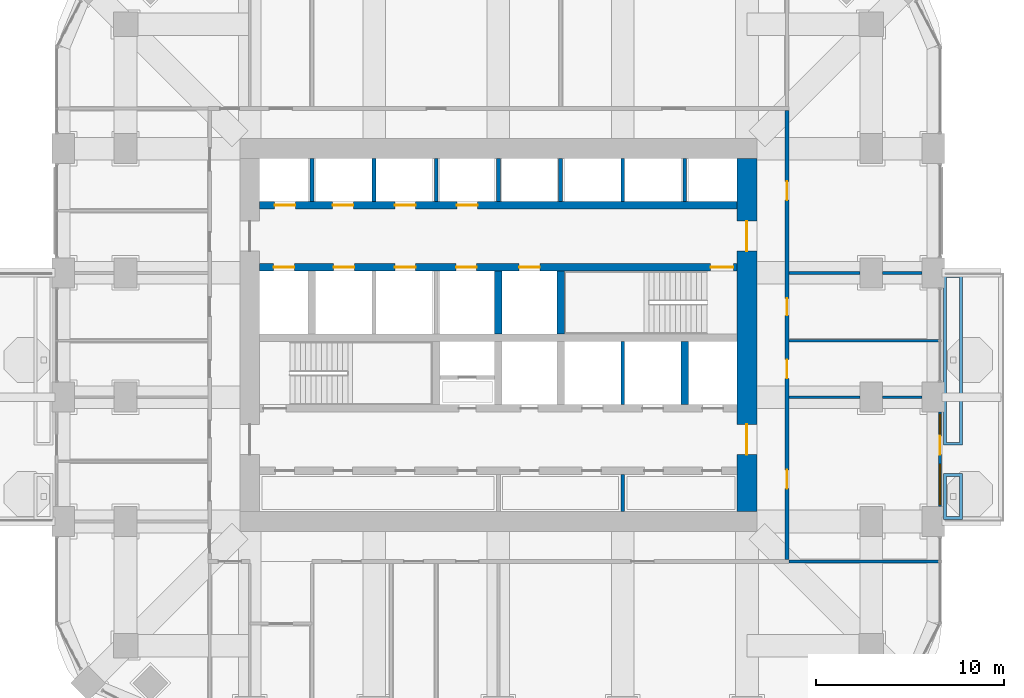
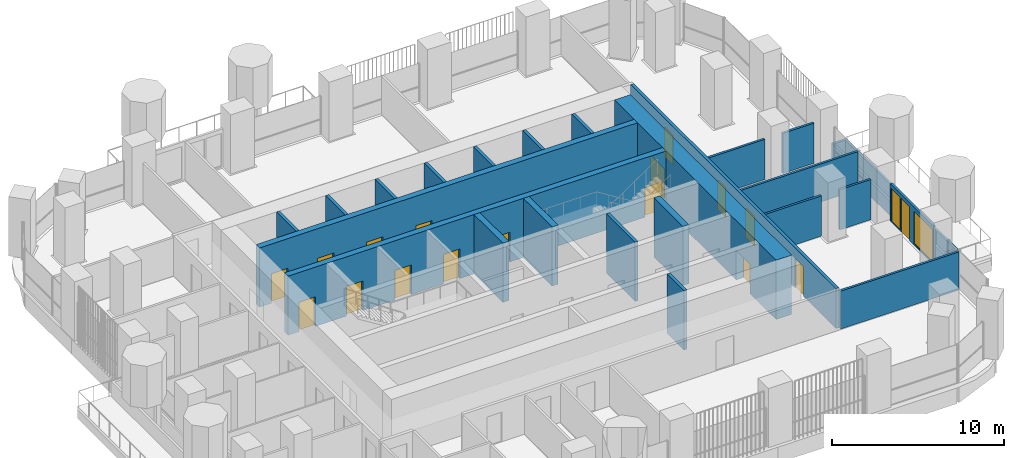
# One storey, part 13 of 19: 25 walls, 17 doors, 2 windows, 19 openings.
"""IFC4 building model written with IfcOpenShell, lengths in metres."""

import ifcopenshell
import ifcopenshell.guid

model = None  # the IFC model being written
_history = None  # IfcOwnerHistory: only IFC2X3 demands one
_inside = {}  # id of a spatial element -> (the spatial element, [elements in it])
_under = {}  # id of a project, library or spatial element -> (it, [spatial elements below it])
_declared = {}  # id of a project -> (the project, [libraries it declares])
_typed = {}  # id of a type object -> (the type object, [elements of that type])
_made_of = {}  # id of a material, layer set ... -> (it, [elements and type objects made of it])


def new_model(schema):
    """Start an empty IFC model of exactly this schema.

    Asked for "IFC4X3", IfcOpenShell would pick the latest addendum, in which some entities
    have other attributes; the version numbers below select the first issue.
    IFC2X3 requires an IfcOwnerHistory on every rooted entity: one is made here for all.
    """
    global model, _history
    if schema == "IFC4X3":
        model = ifcopenshell.file(schema_version=(4, 3, 0, 0))
    else:
        model = ifcopenshell.file(schema=schema)
    _inside.clear()
    _under.clear()
    _declared.clear()
    _typed.clear()
    _made_of.clear()
    _history = None
    if model.schema == "IFC2X3":
        org = make("IfcOrganization", Name="unknown")
        user = make(
            "IfcPersonAndOrganization",
            ThePerson=make("IfcPerson", FamilyName="unknown"),
            TheOrganization=org,
        )
        app = make(
            "IfcApplication",
            ApplicationDeveloper=org,
            Version="unknown",
            ApplicationFullName="unknown",
            ApplicationIdentifier="unknown",
        )
        _history = make(
            "IfcOwnerHistory",
            OwningUser=user,
            OwningApplication=app,
            ChangeAction="ADDED",
            CreationDate=0,
        )
    return model


def make(cls, **values):
    """One entity of the class cls with the attributes given. An attribute that is None is left unset."""
    return model.create_entity(
        cls, **{name: value for name, value in values.items() if value is not None}
    )


def rooted(cls, **values):
    """An entity with a GlobalId (a new one), such as an element, a storey or a relation."""
    return make(cls, GlobalId=ifcopenshell.guid.new(), OwnerHistory=_history, **values)


def si_unit(unit_type, name, prefix=None):
    """IfcSIUnit, for example si_unit("LENGTHUNIT", "METRE", prefix="MILLI")."""
    return make("IfcSIUnit", UnitType=unit_type, Prefix=prefix, Name=name)


def assignment(units):
    """IfcUnitAssignment: the units of a project."""
    return None if units is None else make("IfcUnitAssignment", Units=units)


def point(xyz):
    """IfcCartesianPoint."""
    return None if xyz is None else make("IfcCartesianPoint", Coordinates=xyz)


def direction(xyz):
    """IfcDirection."""
    return None if xyz is None else make("IfcDirection", DirectionRatios=xyz)


def frame(location, z_axis=None, x_axis=None):
    """IfcAxis2Placement3D, a coordinate frame: its origin and axes. An axis left out is left unset."""
    return make(
        "IfcAxis2Placement3D",
        Location=point(location),
        Axis=direction(z_axis),
        RefDirection=direction(x_axis),
    )


def frame_2d(location, x_axis=None):
    """IfcAxis2Placement2D, a coordinate frame in the plane: its origin and x axis."""
    return make(
        "IfcAxis2Placement2D", Location=point(location), RefDirection=direction(x_axis)
    )


def origin():
    """The frame at (0, 0, 0) with its axes left unset."""
    return frame((0.0, 0.0, 0.0))


def place(relative_to, where):
    """IfcLocalPlacement: puts the frame where relative to a parent placement (None: the world)."""
    return make(
        "IfcLocalPlacement", PlacementRelTo=relative_to, RelativePlacement=where
    )


def context(
    kind, dimensions, precision=None, world=None, true_north=None, identifier=None
):
    """IfcGeometricRepresentationContext, for example the 3D "Model" context."""
    return make(
        "IfcGeometricRepresentationContext",
        ContextIdentifier=identifier,
        ContextType=kind,
        CoordinateSpaceDimension=dimensions,
        Precision=precision,
        WorldCoordinateSystem=world,
        TrueNorth=true_north,
    )


def subcontext(parent, identifier, kind, view, scale=None):
    """IfcGeometricRepresentationSubContext, for example "Body" below "Model"."""
    return make(
        "IfcGeometricRepresentationSubContext",
        ContextIdentifier=identifier,
        ContextType=kind,
        ParentContext=parent,
        TargetScale=scale,
        TargetView=view,
    )


def project(units=None, contexts=None):
    """IfcProject with its units and contexts."""
    return rooted(
        "IfcProject",
        Name="project",
        RepresentationContexts=contexts,
        UnitsInContext=assignment(units),
    )


def spatial(cls, under=None, at=None, **own):
    """A site, building, storey or space (cls), placed at a placement, below another one or the project."""
    s = rooted(cls, ObjectPlacement=at, **own)
    if under is not None:
        _under.setdefault(under.id(), (under, []))[1].append(s)
    return s


def polyline(points):
    """IfcPolyline through the points."""
    return make("IfcPolyline", Points=[point(p) for p in points])


def profile(cls, at=None, kind="AREA", **sizes):
    """A parametric profile (cls). Its sizes go by their IFC names, for example OverallWidth=200.0."""
    return make(cls, ProfileType=kind, Position=at, **sizes)


def rectangle(**sizes):
    """IfcRectangleProfileDef."""
    return profile("IfcRectangleProfileDef", **sizes)


def outline(outer, holes=None, kind="AREA"):
    """IfcArbitraryClosedProfileDef: a profile drawn as a closed curve; with holes, ...WithVoids."""
    if holes is None:
        return make("IfcArbitraryClosedProfileDef", ProfileType=kind, OuterCurve=outer)
    return make(
        "IfcArbitraryProfileDefWithVoids",
        ProfileType=kind,
        OuterCurve=outer,
        InnerCurves=holes,
    )


def extrude(swept, where, along, depth):
    """IfcExtrudedAreaSolid: the profile swept, set in the frame where, extruded along a direction by depth."""
    return make(
        "IfcExtrudedAreaSolid",
        SweptArea=swept,
        Position=where,
        ExtrudedDirection=direction(along),
        Depth=depth,
    )


def shape(context_of_items, identifier, shape_type, items):
    """IfcShapeRepresentation: the items that make up one representation, for example the "Body"."""
    return make(
        "IfcShapeRepresentation",
        ContextOfItems=context_of_items,
        RepresentationIdentifier=identifier,
        RepresentationType=shape_type,
        Items=items,
    )


def material(Name=None, Category=None):
    """IfcMaterial."""
    return make("IfcMaterial", Name=Name, Category=Category)


def layer(
    of_material, thickness, ventilated=None, Name=None, Category=None, Priority=None
):
    """IfcMaterialLayer: one layer of a wall or slab, of a material (None: an air gap)."""
    return make(
        "IfcMaterialLayer",
        Material=of_material,
        LayerThickness=thickness,
        IsVentilated=ventilated,
        Name=Name,
        Category=Category,
        Priority=Priority,
    )


def layer_set(layers, Name=None):
    """IfcMaterialLayerSet."""
    return make("IfcMaterialLayerSet", MaterialLayers=layers, LayerSetName=Name)


def made_of(thing, what):
    """Note that an element or type object is made of a material, layer set ...; save() writes the relation."""
    if what is not None:
        _made_of.setdefault(what.id(), (what, []))[1].append(thing)
    return thing


def type_object(cls, material=None, **own):
    """A type object (cls), such as IfcWallType, which elements share."""
    return made_of(rooted(cls, **own), material)


def element(
    cls,
    number,
    at=None,
    inside=None,
    cuts=None,
    type_object=None,
    material=None,
    context=None,
    identifier="Body",
    shape_type=None,
    held_by="IfcProductDefinitionShape",
    body=None,
    shapes=None,
    **own,
):
    """One element of the class cls, such as IfcWall. Its Tag is "e" and its number.

    at: its placement. inside: the storey or other place that contains it. cuts: it is an
    opening in that element (IfcRelVoidsElement). A single representation is given by context,
    identifier, shape_type and body (its items); several are given by shapes. held_by: the class
    of the entity that holds the representations. save() writes the other relations.
    """
    e = rooted(cls, Tag="e%d" % number, ObjectPlacement=at, **own)
    if body is not None:
        shapes = [shape(context, identifier, shape_type, body)]
    if shapes is not None:
        e.Representation = make(held_by, Representations=shapes)
    if inside is not None:
        _inside.setdefault(inside.id(), (inside, []))[1].append(e)
    if cuts is not None:
        rooted(
            "IfcRelVoidsElement", RelatingBuildingElement=cuts, RelatedOpeningElement=e
        )
    if type_object is not None:
        _typed.setdefault(type_object.id(), (type_object, []))[1].append(e)
    return made_of(e, material)


def fill(opening, filler):
    """IfcRelFillsElement: the door or window that sits in an opening."""
    return rooted(
        "IfcRelFillsElement",
        RelatingOpeningElement=opening,
        RelatedBuildingElement=filler,
    )


def aggregate(whole, parts):
    """IfcRelAggregates: a whole, such as a stair, and the parts it consists of."""
    return rooted("IfcRelAggregates", RelatingObject=whole, RelatedObjects=parts)


def save(model, path):
    """Write the relations noted so far, then the file.

    IfcRelAggregates (storeys below a building ...), IfcRelContainedInSpatialStructure (elements
    in a storey), IfcRelDefinesByType, IfcRelAssociatesMaterial and IfcRelDeclares: one each for
    every whole, place, type object, material and project.
    """
    for whole, parts in _under.values():
        aggregate(whole, parts)
    for where, things in _inside.values():
        rooted(
            "IfcRelContainedInSpatialStructure",
            RelatedElements=things,
            RelatingStructure=where,
        )
    for kind, things in _typed.values():
        rooted("IfcRelDefinesByType", RelatedObjects=things, RelatingType=kind)
    for what, things in _made_of.values():
        rooted("IfcRelAssociatesMaterial", RelatedObjects=things, RelatingMaterial=what)
    for by, libraries in _declared.values():
        rooted("IfcRelDeclares", RelatingContext=by, RelatedDefinitions=libraries)
    model.write(path)


model = new_model("IFC4")

# Units and contexts
model_context = context("Model", 3, precision=1e-05, world=origin(), true_north=direction((0.0, 1.0)))
body_context = subcontext(model_context, "Body", "Model", "MODEL_VIEW")
ifc_project = project(units=[si_unit("LENGTHUNIT", "METRE"), si_unit("AREAUNIT", "SQUARE_METRE"), si_unit("VOLUMEUNIT", "CUBIC_METRE"), si_unit("PLANEANGLEUNIT", "RADIAN"), si_unit("MASSUNIT", "GRAM", prefix="KILO")], contexts=[model_context])

# Site, building, storey
site_placement = place(None, origin())
site = spatial("IfcSite", under=ifc_project, at=site_placement, CompositionType="ELEMENT")
building_placement = place(site_placement, origin())
building = spatial("IfcBuilding", under=site, at=building_placement, Name="Cobogo Forest Laboratory Tower", CompositionType="ELEMENT")
storey_placement = place(building_placement, frame((0.0, 0.0, 159.89990234375)))
storey = spatial("IfcBuildingStorey", under=building, at=storey_placement, Name="L36", CompositionType="ELEMENT", Elevation=159.89990234375)

# Wall, openings, doors
ifc_material_1 = material(Name="Concrete HA-50 (C50/60)", Category="concrete")
ifc_layer_1 = layer(ifc_material_1, 0.39990234375)
ifc_layer_set_1 = layer_set([ifc_layer_1], Name="CI400 core inner wall 400")
wall_type_1 = type_object("IfcWallType", Name="CI400 core inner wall 400", PredefinedType="SHEAR", material=ifc_layer_set_1)
wall_1_placement = place(storey_placement, frame((13.72509765625, 26.699951171875, 0.0), z_axis=(0.0, 0.0, 1.0), x_axis=(1.0, 0.0, 0.0)))
wall_1 = element("IfcWall", 1, at=wall_1_placement, inside=storey, type_object=wall_type_1, Name="Core wall CI-26.7 L36", PredefinedType="SHEAR", context=body_context, shape_type="SweptSolid", body=[
    extrude(rectangle(XDim=25.349853515625, YDim=0.39990234375, at=frame_2d((12.6748046875, 0.0))), origin(), (0.0, 0.0, 1.0), 4.2001953125),
])
opening_1_placement = place(wall_1_placement, frame((23.949951171875, 0.0, 0.0)))
opening_1 = element("IfcOpeningElement", 2, at=opening_1_placement, cuts=wall_1, Name="Opening L36-D32", PredefinedType="OPENING", context=body_context, shape_type="SweptSolid", body=[
    extrude(rectangle(XDim=1.199951171875, YDim=2.10009765625, at=frame_2d((0.60009765625, 1.050048828125))), frame((0.0, 0.2099609375, 0.0), z_axis=(0.0, -1.0, 0.0), x_axis=(1.0, 0.0, 0.0)), (0.0, 0.0, 1.0), 0.419921875),
])
opening_2_placement = place(wall_1_placement, frame((0.737548828125, 0.0, 0.0)))
opening_2 = element("IfcOpeningElement", 3, at=opening_2_placement, cuts=wall_1, Name="Opening L36-LD-FL1", PredefinedType="OPENING", context=body_context, shape_type="SweptSolid", body=[
    extrude(rectangle(XDim=1.10009765625, YDim=2.10009765625, at=frame_2d((0.550048828125, 1.050048828125))), frame((0.0, 0.2099609375, 0.0), z_axis=(0.0, -1.0, 0.0), x_axis=(1.0, 0.0, 0.0)), (0.0, 0.0, 1.0), 0.419921875),
])
opening_3_placement = place(wall_1_placement, frame((3.925048828125, 0.0, 0.0)))
opening_3 = element("IfcOpeningElement", 4, at=opening_3_placement, cuts=wall_1, Name="Opening L36-LD-LS3", PredefinedType="OPENING", context=body_context, shape_type="SweptSolid", body=[
    extrude(rectangle(XDim=1.10009765625, YDim=2.10009765625, at=frame_2d((0.550048828125, 1.050048828125))), frame((0.0, 0.2099609375, 0.0), z_axis=(0.0, -1.0, 0.0), x_axis=(1.0, 0.0, 0.0)), (0.0, 0.0, 1.0), 0.419921875),
])
opening_4_placement = place(wall_1_placement, frame((7.175048828125, 0.0, 0.0)))
opening_4 = element("IfcOpeningElement", 5, at=opening_4_placement, cuts=wall_1, Name="Opening L36-LD-LS4", PredefinedType="OPENING", context=body_context, shape_type="SweptSolid", body=[
    extrude(rectangle(XDim=1.10009765625, YDim=2.10009765625, at=frame_2d((0.550048828125, 1.050048828125))), frame((0.0, 0.2099609375, 0.0), z_axis=(0.0, -1.0, 0.0), x_axis=(1.0, 0.0, 0.0)), (0.0, 0.0, 1.0), 0.419921875),
])
opening_5_placement = place(wall_1_placement, frame((10.425048828125, 0.0, 0.0)))
opening_5 = element("IfcOpeningElement", 6, at=opening_5_placement, cuts=wall_1, Name="Opening L36-LD-LS5", PredefinedType="OPENING", context=body_context, shape_type="SweptSolid", body=[
    extrude(rectangle(XDim=1.10009765625, YDim=2.10009765625, at=frame_2d((0.550048828125, 1.050048828125))), frame((0.0, 0.2099609375, 0.0), z_axis=(0.0, -1.0, 0.0), x_axis=(1.0, 0.0, 0.0)), (0.0, 0.0, 1.0), 0.419921875),
])
opening_6_placement = place(wall_1_placement, frame((13.77490234375, 0.0, 0.0)))
opening_6 = element("IfcOpeningElement", 7, at=opening_6_placement, cuts=wall_1, Name="Opening L36-LD-LS6", PredefinedType="OPENING", context=body_context, shape_type="SweptSolid", body=[
    extrude(rectangle(XDim=1.10009765625, YDim=2.10009765625, at=frame_2d((0.550048828125, 1.050048828125))), frame((0.0, 0.2099609375, 0.0), z_axis=(0.0, -1.0, 0.0), x_axis=(1.0, 0.0, 0.0)), (0.0, 0.0, 1.0), 0.419921875),
])
ifc_material_2 = material(Name="Steel fire door", Category="steel")
door_type_1 = type_object("IfcDoorType", Name="DS1 protected stair door 1200 EI2 60", OperationType="SINGLE_SWING_LEFT", PredefinedType="DOOR", material=ifc_material_2)
door_1_placement = place(opening_1_placement, origin())
door_1 = element("IfcDoor", 8, at=door_1_placement, inside=storey, type_object=door_type_1, Name="Door L36-ST2", OperationType="SINGLE_SWING_RIGHT", OverallHeight=2.10009765625, OverallWidth=1.199951171875, PredefinedType="DOOR", context=body_context, shape_type="SweptSolid", body=[
    extrude(rectangle(XDim=1.199951171875, YDim=2.10009765625, at=frame_2d((0.60009765625, 1.050048828125))), frame((0.0, 0.02490234375, 0.0), z_axis=(0.0, -1.0, 0.0), x_axis=(1.0, 0.0, 0.0)), (0.0, 0.0, 1.0), 0.050048828125),
])
fill(opening_1, door_1)
ifc_material_3 = material(Name="Stainless steel lift door", Category="steel")
door_type_2 = type_object("IfcDoorType", Name="LD lift landing door 1100", OperationType="DOUBLE_DOOR_SLIDING", PredefinedType="DOOR", material=ifc_material_3)
door_2_placement = place(opening_2_placement, origin())
door_2 = element("IfcDoor", 9, at=door_2_placement, inside=storey, type_object=door_type_2, Name="Lift landing door FL1 L36", OperationType="DOUBLE_DOOR_SLIDING", OverallHeight=2.10009765625, OverallWidth=1.10009765625, PredefinedType="DOOR", context=body_context, shape_type="SweptSolid", body=[
    extrude(rectangle(XDim=1.10009765625, YDim=2.10009765625, at=frame_2d((0.550048828125, 1.050048828125))), frame((0.0, 0.02490234375, 0.0), z_axis=(0.0, -1.0, 0.0), x_axis=(1.0, 0.0, 0.0)), (0.0, 0.0, 1.0), 0.050048828125),
])
fill(opening_2, door_2)
door_3_placement = place(opening_3_placement, origin())
door_3 = element("IfcDoor", 10, at=door_3_placement, inside=storey, type_object=door_type_2, Name="Lift landing door LS3 L36", OperationType="DOUBLE_DOOR_SLIDING", OverallHeight=2.10009765625, OverallWidth=1.10009765625, PredefinedType="DOOR", context=body_context, shape_type="SweptSolid", body=[
    extrude(rectangle(XDim=1.10009765625, YDim=2.10009765625, at=frame_2d((0.550048828125, 1.050048828125))), frame((0.0, 0.02490234375, 0.0), z_axis=(0.0, -1.0, 0.0), x_axis=(1.0, 0.0, 0.0)), (0.0, 0.0, 1.0), 0.050048828125),
])
fill(opening_3, door_3)
door_4_placement = place(opening_4_placement, origin())
door_4 = element("IfcDoor", 11, at=door_4_placement, inside=storey, type_object=door_type_2, Name="Lift landing door LS4 L36", OperationType="DOUBLE_DOOR_SLIDING", OverallHeight=2.10009765625, OverallWidth=1.10009765625, PredefinedType="DOOR", context=body_context, shape_type="SweptSolid", body=[
    extrude(rectangle(XDim=1.10009765625, YDim=2.10009765625, at=frame_2d((0.550048828125, 1.050048828125))), frame((0.0, 0.02490234375, 0.0), z_axis=(0.0, -1.0, 0.0), x_axis=(1.0, 0.0, 0.0)), (0.0, 0.0, 1.0), 0.050048828125),
])
fill(opening_4, door_4)
door_5_placement = place(opening_5_placement, origin())
door_5 = element("IfcDoor", 12, at=door_5_placement, inside=storey, type_object=door_type_2, Name="Lift landing door LS5 L36", OperationType="DOUBLE_DOOR_SLIDING", OverallHeight=2.10009765625, OverallWidth=1.10009765625, PredefinedType="DOOR", context=body_context, shape_type="SweptSolid", body=[
    extrude(rectangle(XDim=1.10009765625, YDim=2.10009765625, at=frame_2d((0.550048828125, 1.050048828125))), frame((0.0, 0.02490234375, 0.0), z_axis=(0.0, -1.0, 0.0), x_axis=(1.0, 0.0, 0.0)), (0.0, 0.0, 1.0), 0.050048828125),
])
fill(opening_5, door_5)
door_6_placement = place(opening_6_placement, origin())
door_6 = element("IfcDoor", 13, at=door_6_placement, inside=storey, type_object=door_type_2, Name="Lift landing door LS6 L36", OperationType="DOUBLE_DOOR_SLIDING", OverallHeight=2.10009765625, OverallWidth=1.10009765625, PredefinedType="DOOR", context=body_context, shape_type="SweptSolid", body=[
    extrude(rectangle(XDim=1.10009765625, YDim=2.10009765625, at=frame_2d((0.550048828125, 1.050048828125))), frame((0.0, 0.02490234375, 0.0), z_axis=(0.0, -1.0, 0.0), x_axis=(1.0, 0.0, 0.0)), (0.0, 0.0, 1.0), 0.050048828125),
])
fill(opening_6, door_6)

wall_2_placement = place(storey_placement, frame((13.72509765625, 30.0, 0.0), z_axis=(0.0, 0.0, 1.0), x_axis=(1.0, 0.0, 0.0)))
wall_2 = element("IfcWall", 14, at=wall_2_placement, inside=storey, type_object=wall_type_1, Name="Core wall CI-30.0 L36", PredefinedType="SHEAR", context=body_context, shape_type="SweptSolid", body=[
    extrude(rectangle(XDim=25.349853515625, YDim=0.39990234375, at=frame_2d((12.6748046875, 0.0))), origin(), (0.0, 0.0, 1.0), 4.2001953125),
])
opening_7_placement = place(wall_2_placement, frame((0.78759765625, 0.0, 0.0)))
opening_7 = element("IfcOpeningElement", 15, at=opening_7_placement, cuts=wall_2, Name="Opening L36-LD-LC1", PredefinedType="OPENING", context=body_context, shape_type="SweptSolid", body=[
    extrude(rectangle(XDim=1.10009765625, YDim=2.10009765625, at=frame_2d((0.550048828125, 1.050048828125))), frame((0.0, 0.2099609375, 0.0), z_axis=(0.0, -1.0, 0.0), x_axis=(1.0, 0.0, 0.0)), (0.0, 0.0, 1.0), 0.419921875),
])
opening_8_placement = place(wall_2_placement, frame((3.875, 0.0, 0.0)))
opening_8 = element("IfcOpeningElement", 16, at=opening_8_placement, cuts=wall_2, Name="Opening L36-LD-LC2", PredefinedType="OPENING", context=body_context, shape_type="SweptSolid", body=[
    extrude(rectangle(XDim=1.10009765625, YDim=2.10009765625, at=frame_2d((0.550048828125, 1.050048828125))), frame((0.0, 0.2099609375, 0.0), z_axis=(0.0, -1.0, 0.0), x_axis=(1.0, 0.0, 0.0)), (0.0, 0.0, 1.0), 0.419921875),
])
opening_9_placement = place(wall_2_placement, frame((7.175048828125, 0.0, 0.0)))
opening_9 = element("IfcOpeningElement", 17, at=opening_9_placement, cuts=wall_2, Name="Opening L36-LD-LC3", PredefinedType="OPENING", context=body_context, shape_type="SweptSolid", body=[
    extrude(rectangle(XDim=1.10009765625, YDim=2.10009765625, at=frame_2d((0.550048828125, 1.050048828125))), frame((0.0, 0.2099609375, 0.0), z_axis=(0.0, -1.0, 0.0), x_axis=(1.0, 0.0, 0.0)), (0.0, 0.0, 1.0), 0.419921875),
])
opening_10_placement = place(wall_2_placement, frame((10.47509765625, 0.0, 0.0)))
opening_10 = element("IfcOpeningElement", 18, at=opening_10_placement, cuts=wall_2, Name="Opening L36-LD-LC4", PredefinedType="OPENING", context=body_context, shape_type="SweptSolid", body=[
    extrude(rectangle(XDim=1.10009765625, YDim=2.10009765625, at=frame_2d((0.550048828125, 1.050048828125))), frame((0.0, 0.2099609375, 0.0), z_axis=(0.0, -1.0, 0.0), x_axis=(1.0, 0.0, 0.0)), (0.0, 0.0, 1.0), 0.419921875),
])
door_7_placement = place(opening_7_placement, origin())
door_7 = element("IfcDoor", 19, at=door_7_placement, inside=storey, type_object=door_type_2, Name="Lift landing door LC1 L36", OperationType="DOUBLE_DOOR_SLIDING", OverallHeight=2.10009765625, OverallWidth=1.10009765625, PredefinedType="DOOR", context=body_context, shape_type="SweptSolid", body=[
    extrude(rectangle(XDim=1.10009765625, YDim=2.10009765625, at=frame_2d((0.550048828125, 1.050048828125))), frame((0.0, 0.02490234375, 0.0), z_axis=(0.0, -1.0, 0.0), x_axis=(1.0, 0.0, 0.0)), (0.0, 0.0, 1.0), 0.050048828125),
])
fill(opening_7, door_7)
door_8_placement = place(opening_8_placement, origin())
door_8 = element("IfcDoor", 20, at=door_8_placement, inside=storey, type_object=door_type_2, Name="Lift landing door LC2 L36", OperationType="DOUBLE_DOOR_SLIDING", OverallHeight=2.10009765625, OverallWidth=1.10009765625, PredefinedType="DOOR", context=body_context, shape_type="SweptSolid", body=[
    extrude(rectangle(XDim=1.10009765625, YDim=2.10009765625, at=frame_2d((0.550048828125, 1.050048828125))), frame((0.0, 0.02490234375, 0.0), z_axis=(0.0, -1.0, 0.0), x_axis=(1.0, 0.0, 0.0)), (0.0, 0.0, 1.0), 0.050048828125),
])
fill(opening_8, door_8)
door_9_placement = place(opening_9_placement, origin())
door_9 = element("IfcDoor", 21, at=door_9_placement, inside=storey, type_object=door_type_2, Name="Lift landing door LC3 L36", OperationType="DOUBLE_DOOR_SLIDING", OverallHeight=2.10009765625, OverallWidth=1.10009765625, PredefinedType="DOOR", context=body_context, shape_type="SweptSolid", body=[
    extrude(rectangle(XDim=1.10009765625, YDim=2.10009765625, at=frame_2d((0.550048828125, 1.050048828125))), frame((0.0, 0.02490234375, 0.0), z_axis=(0.0, -1.0, 0.0), x_axis=(1.0, 0.0, 0.0)), (0.0, 0.0, 1.0), 0.050048828125),
])
fill(opening_9, door_9)
door_10_placement = place(opening_10_placement, origin())
door_10 = element("IfcDoor", 22, at=door_10_placement, inside=storey, type_object=door_type_2, Name="Lift landing door LC4 L36", OperationType="DOUBLE_DOOR_SLIDING", OverallHeight=2.10009765625, OverallWidth=1.10009765625, PredefinedType="DOOR", context=body_context, shape_type="SweptSolid", body=[
    extrude(rectangle(XDim=1.10009765625, YDim=2.10009765625, at=frame_2d((0.550048828125, 1.050048828125))), frame((0.0, 0.02490234375, 0.0), z_axis=(0.0, -1.0, 0.0), x_axis=(1.0, 0.0, 0.0)), (0.0, 0.0, 1.0), 0.050048828125),
])
fill(opening_10, door_10)

# Walls
for number, where, z_axis, x_axis, name in (
    (23, (36.300048828125, 19.39990234375, 0.0), (0.0, 0.0, 1.0), (0.0, 1.0, 0.0), "Core wall CX-36.3 L36"),
    (24, (26.39990234375, 23.14990234375, 0.0), (0.0, 0.0, 1.0), (0.0, 1.0, 0.0), "Core wall CX-26.4N L36"),
    (25, (29.699951171875, 23.14990234375, 0.0), (0.0, 0.0, 1.0), (0.0, 1.0, 0.0), "Core wall CX-29.7N L36"),
):
    element("IfcWall", number, at=place(storey_placement, frame(where, z_axis=z_axis, x_axis=x_axis)), inside=storey, type_object=wall_type_1, Name=name, PredefinedType="SHEAR", context=body_context, shape_type="SweptSolid", body=[
        extrude(rectangle(XDim=3.35009765625, YDim=0.39990234375, at=frame_2d((1.675048828125, 0.0))), origin(), (0.0, 0.0, 1.0), 4.2001953125),
    ])

# Wall, openings, doors
ifc_layer_2 = layer(ifc_material_1, 1.050048828125)
ifc_layer_set_2 = layer_set([ifc_layer_2], Name="CW1050 core outer wall 1050")
wall_type_2 = type_object("IfcWallType", Name="CW1050 core outer wall 1050", PredefinedType="SHEAR", material=ifc_layer_set_2)
wall_3_placement = place(storey_placement, frame((39.60009765625, 13.72509765625, 0.0), z_axis=(0.0, 0.0, 1.0), x_axis=(0.0, 1.0, 0.0)))
wall_3 = element("IfcWall", 26, at=wall_3_placement, inside=storey, type_object=wall_type_2, Name="Core wall CO-E L36", PredefinedType="SHEAR", context=body_context, shape_type="SweptSolid", body=[
    extrude(rectangle(XDim=18.75, YDim=1.050048828125, at=frame_2d((9.375, 0.0))), origin(), (0.0, 0.0, 1.0), 4.2001953125),
])
opening_11_placement = place(wall_3_placement, frame((3.02490234375, 0.0, 0.0)))
opening_11 = element("IfcOpeningElement", 27, at=opening_11_placement, cuts=wall_3, Name="Opening L36-D22", PredefinedType="OPENING", context=body_context, shape_type="SweptSolid", body=[
    extrude(rectangle(XDim=1.60009765625, YDim=2.10009765625, at=frame_2d((0.800048828125, 1.050048828125))), frame((0.0, 0.534912109375, 0.0), z_axis=(0.0, -1.0, 0.0), x_axis=(1.0, 0.0, 0.0)), (0.0, 0.0, 1.0), 1.070068359375),
])
opening_12_placement = place(wall_3_placement, frame((13.824951171875, 0.0, 0.0)))
opening_12 = element("IfcOpeningElement", 28, at=opening_12_placement, cuts=wall_3, Name="Opening L36-D35", PredefinedType="OPENING", context=body_context, shape_type="SweptSolid", body=[
    extrude(rectangle(XDim=1.60009765625, YDim=2.10009765625, at=frame_2d((0.800048828125, 1.050048828125))), frame((0.0, 0.534912109375, 0.0), z_axis=(0.0, -1.0, 0.0), x_axis=(1.0, 0.0, 0.0)), (0.0, 0.0, 1.0), 1.070068359375),
])
door_type_3 = type_object("IfcDoorType", Name="DS2 protected lobby door pair 1600 EI2 60", OperationType="DOUBLE_DOOR_DOUBLE_SWING", PredefinedType="DOOR", material=ifc_material_2)
door_11_placement = place(opening_11_placement, origin())
door_11 = element("IfcDoor", 29, at=door_11_placement, inside=storey, type_object=door_type_3, Name="Door L36-CO-E-S", OperationType="DOUBLE_DOOR_DOUBLE_SWING", OverallHeight=2.10009765625, OverallWidth=1.60009765625, PredefinedType="DOOR", context=body_context, shape_type="SweptSolid", body=[
    extrude(rectangle(XDim=1.60009765625, YDim=2.10009765625, at=frame_2d((0.800048828125, 1.050048828125))), frame((0.0, 0.02490234375, 0.0), z_axis=(0.0, -1.0, 0.0), x_axis=(1.0, 0.0, 0.0)), (0.0, 0.0, 1.0), 0.050048828125),
])
fill(opening_11, door_11)
door_12_placement = place(opening_12_placement, origin())
door_12 = element("IfcDoor", 30, at=door_12_placement, inside=storey, type_object=door_type_3, Name="Door L36-CO-E-N", OperationType="DOUBLE_DOOR_DOUBLE_SWING", OverallHeight=2.10009765625, OverallWidth=1.60009765625, PredefinedType="DOOR", context=body_context, shape_type="SweptSolid", body=[
    extrude(rectangle(XDim=1.60009765625, YDim=2.10009765625, at=frame_2d((0.800048828125, 1.050048828125))), frame((0.0, 0.02490234375, 0.0), z_axis=(0.0, -1.0, 0.0), x_axis=(1.0, 0.0, 0.0)), (0.0, 0.0, 1.0), 0.050048828125),
])
fill(opening_12, door_12)

# Wall, openings, door, windows
ifc_material_4 = material(Name="Aluminium framed glazed screen", Category="aluminium")
ifc_layer_3 = layer(ifc_material_4, 0.14990234375)
ifc_layer_set_3 = layer_set([ifc_layer_3], Name="GS1 glazed door screen 150")
wall_type_3 = type_object("IfcWallType", Name="GS1 glazed door screen 150", PredefinedType="SOLIDWALL", material=ifc_layer_set_3)
wall_4_placement = place(storey_placement, frame((49.85009765625, 14.0, 0.0), z_axis=(0.0, 0.0, 1.0), x_axis=(0.0, 1.0, 0.0)))
wall_4 = element("IfcWall", 31, at=wall_4_placement, inside=storey, type_object=wall_type_3, Name="Door screen BAL-E1 L36", PredefinedType="SOLIDWALL", context=body_context, shape_type="SweptSolid", body=[
    extrude(rectangle(XDim=5.0, YDim=0.14990234375, at=frame_2d((2.5, 0.0))), origin(), (0.0, 0.0, 1.0), 2.7001953125),
])
opening_13_placement = place(wall_4_placement, frame((2.75, 0.0, 0.0)))
opening_13 = element("IfcOpeningElement", 32, at=opening_13_placement, cuts=wall_4, Name="Opening L36-D20", PredefinedType="OPENING", context=body_context, shape_type="SweptSolid", body=[
    extrude(rectangle(XDim=1.0, YDim=2.39990234375, at=frame_2d((0.5, 1.199951171875))), frame((0.0, 0.0849609375, 0.0), z_axis=(0.0, -1.0, 0.0), x_axis=(1.0, 0.0, 0.0)), (0.0, 0.0, 1.0), 0.169921875),
])
opening_14_placement = place(wall_4_placement, frame((0.10009765625, 0.0, 0.10009765625)))
opening_14 = element("IfcOpeningElement", 33, at=opening_14_placement, cuts=wall_4, Name="Opening L36-W04", PredefinedType="OPENING", context=body_context, shape_type="SweptSolid", body=[
    extrude(rectangle(XDim=2.14990234375, YDim=2.300048828125, at=frame_2d((1.074951171875, 1.14990234375))), frame((0.0, 0.0849609375, 0.0), z_axis=(0.0, -1.0, 0.0), x_axis=(1.0, 0.0, 0.0)), (0.0, 0.0, 1.0), 0.169921875),
])
opening_15_placement = place(wall_4_placement, frame((3.85009765625, 0.0, 0.10009765625)))
opening_15 = element("IfcOpeningElement", 34, at=opening_15_placement, cuts=wall_4, Name="Opening L36-W06", PredefinedType="OPENING", context=body_context, shape_type="SweptSolid", body=[
    extrude(rectangle(XDim=1.050048828125, YDim=2.300048828125, at=frame_2d((0.52490234375, 1.14990234375))), frame((0.0, 0.0849609375, 0.0), z_axis=(0.0, -1.0, 0.0), x_axis=(1.0, 0.0, 0.0)), (0.0, 0.0, 1.0), 0.169921875),
])
ifc_material_5 = material(Name="Aluminium glazed door", Category="aluminium")
door_type_4 = type_object("IfcDoorType", Name="DB1 balcony door 1000 glazed", OperationType="SINGLE_SWING_LEFT", PredefinedType="DOOR", material=ifc_material_5)
door_13_placement = place(opening_13_placement, origin())
door_13 = element("IfcDoor", 35, at=door_13_placement, inside=storey, type_object=door_type_4, Name="Door L36-BAL-E1", OperationType="SINGLE_SWING_RIGHT", OverallHeight=2.39990234375, OverallWidth=1.0, PredefinedType="DOOR", context=body_context, shape_type="SweptSolid", body=[
    extrude(rectangle(XDim=1.0, YDim=2.39990234375, at=frame_2d((0.5, 1.199951171875))), frame((0.0, 0.02490234375, 0.0), z_axis=(0.0, -1.0, 0.0), x_axis=(1.0, 0.0, 0.0)), (0.0, 0.0, 1.0), 0.050048828125),
])
fill(opening_13, door_13)
ifc_material_6 = material(Name="Aluminium framed glazing", Category="aluminium")
window_type_1 = type_object("IfcWindowType", Name="WG13 fixed glazed light 2150x2300", PartitioningType="SINGLE_PANEL", PredefinedType="WINDOW", material=ifc_material_6)
window_1_placement = place(opening_14_placement, origin())
window_1 = element("IfcWindow", 36, at=window_1_placement, inside=storey, type_object=window_type_1, Name="Window L36-BAL-E1-1", OverallHeight=2.300048828125, OverallWidth=2.14990234375, PartitioningType="SINGLE_PANEL", PredefinedType="WINDOW", context=body_context, shape_type="SweptSolid", body=[
    extrude(rectangle(XDim=2.14990234375, YDim=2.300048828125, at=frame_2d((1.074951171875, 1.14990234375))), frame((0.0, 0.030029296875, 0.0), z_axis=(0.0, -1.0, 0.0), x_axis=(1.0, 0.0, 0.0)), (0.0, 0.0, 1.0), 0.06005859375),
])
fill(opening_14, window_1)
window_type_2 = type_object("IfcWindowType", Name="WG14 fixed glazed light 1050x2300", PartitioningType="SINGLE_PANEL", PredefinedType="WINDOW", material=ifc_material_6)
window_2_placement = place(opening_15_placement, origin())
window_2 = element("IfcWindow", 37, at=window_2_placement, inside=storey, type_object=window_type_2, Name="Window L36-BAL-E1-2", OverallHeight=2.300048828125, OverallWidth=1.050048828125, PartitioningType="SINGLE_PANEL", PredefinedType="WINDOW", context=body_context, shape_type="SweptSolid", body=[
    extrude(rectangle(XDim=1.050048828125, YDim=2.300048828125, at=frame_2d((0.52490234375, 1.14990234375))), frame((0.0, 0.030029296875, 0.0), z_axis=(0.0, -1.0, 0.0), x_axis=(1.0, 0.0, 0.0)), (0.0, 0.0, 1.0), 0.06005859375),
])
fill(opening_15, window_2)

# Walls
ifc_material_7 = material(Name="Gypsum board on steel studs", Category="steel")
ifc_layer_4 = layer(ifc_material_7, 0.14990234375)
ifc_layer_set_4 = layer_set([ifc_layer_4], Name="PT1 laboratory partition 150")
wall_type_4 = type_object("IfcWallType", Name="PT1 laboratory partition 150", PredefinedType="PARTITIONING", material=ifc_layer_set_4)
for number, where, z_axis, x_axis, name in (
    (38, (49.77001953125, 11.074951171875, 0.0), (0.0, 0.0, 1.0), (-1.0, 0.0, 0.0), "Partition PW-SE L36"),
    (39, (49.77001953125, 22.800048828125, 0.0), (0.0, 0.0, 1.0), (-1.0, 0.0, 0.0), "Partition SVC-E1-1 L36"),
):
    element("IfcWall", number, at=place(storey_placement, frame(where, z_axis=z_axis, x_axis=x_axis)), inside=storey, type_object=wall_type_4, Name=name, PredefinedType="PARTITIONING", context=body_context, shape_type="SweptSolid", body=[
        extrude(rectangle(XDim=7.945068359375, YDim=0.14990234375, at=frame_2d((3.97265625, 0.0))), origin(), (0.0, 0.0, 1.0), 2.7001953125),
    ])
wall_5_placement = place(storey_placement, frame((48.89990234375, 26.39990234375, 0.0), z_axis=(0.0, 0.0, 1.0), x_axis=(-1.0, 0.0, 0.0)))
element("IfcWall", 40, at=wall_5_placement, inside=storey, type_object=wall_type_4, Name="Partition SVC-E2-1 L36", PredefinedType="PARTITIONING", context=body_context, shape_type="SweptSolid", body=[
    extrude(rectangle(XDim=2.099853515625, YDim=0.14990234375, at=frame_2d((1.0498046875, 0.0))), origin(), (0.0, 0.0, 1.0), 2.85009765625),
])
wall_6_placement = place(storey_placement, frame((45.60009765625, 26.39990234375, 0.0), z_axis=(0.0, 0.0, 1.0), x_axis=(-1.0, 0.0, 0.0)))
element("IfcWall", 41, at=wall_6_placement, inside=storey, type_object=wall_type_4, Name="Partition SVC-E2-2 L36", PredefinedType="PARTITIONING", context=body_context, shape_type="SweptSolid", body=[
    extrude(rectangle(XDim=3.775146484375, YDim=0.14990234375, at=frame_2d((1.8876953125, 0.0))), origin(), (0.0, 0.0, 1.0), 2.85009765625),
])
wall_7_placement = place(storey_placement, frame((48.89990234375, 19.800048828125, 0.0), z_axis=(0.0, 0.0, 1.0), x_axis=(-1.0, 0.0, 0.0)))
element("IfcWall", 42, at=wall_7_placement, inside=storey, type_object=wall_type_4, Name="Partition CUT-E19.8-1 L36", PredefinedType="PARTITIONING", context=body_context, shape_type="SweptSolid", body=[
    extrude(rectangle(XDim=2.099853515625, YDim=0.14990234375, at=frame_2d((1.0498046875, 0.0))), origin(), (0.0, 0.0, 1.0), 2.85009765625),
])
wall_8_placement = place(storey_placement, frame((45.60009765625, 19.800048828125, 0.0), z_axis=(0.0, 0.0, 1.0), x_axis=(-1.0, 0.0, 0.0)))
element("IfcWall", 43, at=wall_8_placement, inside=storey, type_object=wall_type_4, Name="Partition CUT-E19.8-2 L36", PredefinedType="PARTITIONING", context=body_context, shape_type="SweptSolid", body=[
    extrude(rectangle(XDim=3.775146484375, YDim=0.14990234375, at=frame_2d((1.8876953125, 0.0))), origin(), (0.0, 0.0, 1.0), 2.85009765625),
])

# Wall, openings, doors
ifc_layer_5 = layer(ifc_material_7, 0.199951171875)
ifc_layer_set_5 = layer_set([ifc_layer_5], Name="PT2 fire-rated corridor partition 200")
wall_type_5 = type_object("IfcWallType", Name="PT2 fire-rated corridor partition 200", PredefinedType="PARTITIONING", material=ifc_layer_set_5)
wall_9_placement = place(storey_placement, frame((41.72509765625, 11.175048828125, 0.0), z_axis=(0.0, 0.0, 1.0), x_axis=(0.0, 1.0, 0.0)))
wall_9 = element("IfcWall", 44, at=wall_9_placement, inside=storey, type_object=wall_type_5, Name="Partition CORR-E L36", PredefinedType="PARTITIONING", context=body_context, shape_type="SweptSolid", body=[
    extrude(rectangle(XDim=23.849853515625, YDim=0.199951171875, at=frame_2d((11.9248046875, 0.0))), origin(), (0.0, 0.0, 1.0), 2.85009765625),
])
opening_16_placement = place(wall_9_placement, frame((3.762451171875, 0.0, 0.0)))
opening_16 = element("IfcOpeningElement", 45, at=opening_16_placement, cuts=wall_9, Name="Opening L36-D10", PredefinedType="OPENING", context=body_context, shape_type="SweptSolid", body=[
    extrude(rectangle(XDim=1.0, YDim=2.10009765625, at=frame_2d((0.5, 1.050048828125))), frame((0.0, 0.10986328125, 0.0), z_axis=(0.0, -1.0, 0.0), x_axis=(1.0, 0.0, 0.0)), (0.0, 0.0, 1.0), 0.219970703125),
])
opening_17_placement = place(wall_9_placement, frame((9.625, 0.0, 0.0)))
opening_17 = element("IfcOpeningElement", 46, at=opening_17_placement, cuts=wall_9, Name="Opening L36-D29", PredefinedType="OPENING", context=body_context, shape_type="SweptSolid", body=[
    extrude(rectangle(XDim=1.0, YDim=2.10009765625, at=frame_2d((0.5, 1.050048828125))), frame((0.0, 0.10986328125, 0.0), z_axis=(0.0, -1.0, 0.0), x_axis=(1.0, 0.0, 0.0)), (0.0, 0.0, 1.0), 0.219970703125),
])
opening_18_placement = place(wall_9_placement, frame((12.97509765625, 0.0, 0.0)))
opening_18 = element("IfcOpeningElement", 47, at=opening_18_placement, cuts=wall_9, Name="Opening L36-D31", PredefinedType="OPENING", context=body_context, shape_type="SweptSolid", body=[
    extrude(rectangle(XDim=0.89990234375, YDim=2.10009765625, at=frame_2d((0.449951171875, 1.050048828125))), frame((0.0, 0.10986328125, 0.0), z_axis=(0.0, -1.0, 0.0), x_axis=(1.0, 0.0, 0.0)), (0.0, 0.0, 1.0), 0.219970703125),
])
opening_19_placement = place(wall_9_placement, frame((19.08740234375, 0.0, 0.0)))
opening_19 = element("IfcOpeningElement", 48, at=opening_19_placement, cuts=wall_9, Name="Opening L36-D36", PredefinedType="OPENING", context=body_context, shape_type="SweptSolid", body=[
    extrude(rectangle(XDim=1.0, YDim=2.10009765625, at=frame_2d((0.5, 1.050048828125))), frame((0.0, 0.10986328125, 0.0), z_axis=(0.0, -1.0, 0.0), x_axis=(1.0, 0.0, 0.0)), (0.0, 0.0, 1.0), 0.219970703125),
])
door_type_5 = type_object("IfcDoorType", Name="FD1 fire door 1000 EI2 60", OperationType="SINGLE_SWING_LEFT", PredefinedType="DOOR", material=ifc_material_2)
door_14_placement = place(opening_17_placement, origin())
door_14 = element("IfcDoor", 49, at=door_14_placement, inside=storey, type_object=door_type_5, Name="Door L36-ELEC", OperationType="SINGLE_SWING_LEFT", OverallHeight=2.10009765625, OverallWidth=1.0, PredefinedType="DOOR", context=body_context, shape_type="SweptSolid", body=[
    extrude(rectangle(XDim=1.0, YDim=2.10009765625, at=frame_2d((0.5, 1.050048828125))), frame((0.0, 0.02490234375, 0.0), z_axis=(0.0, -1.0, 0.0), x_axis=(1.0, 0.0, 0.0)), (0.0, 0.0, 1.0), 0.050048828125),
])
fill(opening_17, door_14)
ifc_material_8 = material(Name="Timber fire door", Category="wood")
door_type_6 = type_object("IfcDoorType", Name="FD2 fire door 1000 EI2 30", OperationType="SINGLE_SWING_LEFT", PredefinedType="DOOR", material=ifc_material_8)
door_15_placement = place(opening_16_placement, origin())
door_15 = element("IfcDoor", 50, at=door_15_placement, inside=storey, type_object=door_type_6, Name="Door L36-E1", OperationType="SINGLE_SWING_LEFT", OverallHeight=2.10009765625, OverallWidth=1.0, PredefinedType="DOOR", context=body_context, shape_type="SweptSolid", body=[
    extrude(rectangle(XDim=1.0, YDim=2.10009765625, at=frame_2d((0.5, 1.050048828125))), frame((0.0, 0.02490234375, 0.0), z_axis=(0.0, -1.0, 0.0), x_axis=(1.0, 0.0, 0.0)), (0.0, 0.0, 1.0), 0.050048828125),
])
fill(opening_16, door_15)
door_16_placement = place(opening_19_placement, origin())
door_16 = element("IfcDoor", 51, at=door_16_placement, inside=storey, type_object=door_type_6, Name="Door L36-E2", OperationType="SINGLE_SWING_RIGHT", OverallHeight=2.10009765625, OverallWidth=1.0, PredefinedType="DOOR", context=body_context, shape_type="SweptSolid", body=[
    extrude(rectangle(XDim=1.0, YDim=2.10009765625, at=frame_2d((0.5, 1.050048828125))), frame((0.0, 0.02490234375, 0.0), z_axis=(0.0, -1.0, 0.0), x_axis=(1.0, 0.0, 0.0)), (0.0, 0.0, 1.0), 0.050048828125),
])
fill(opening_19, door_16)
door_type_7 = type_object("IfcDoorType", Name="FD4 riser access door 900 EI2 60", OperationType="SINGLE_SWING_LEFT", PredefinedType="DOOR", material=ifc_material_2)
door_17_placement = place(opening_18_placement, origin())
door_17 = element("IfcDoor", 52, at=door_17_placement, inside=storey, type_object=door_type_7, Name="Door L36-COMMS", OperationType="SINGLE_SWING_RIGHT", OverallHeight=2.10009765625, OverallWidth=0.89990234375, PredefinedType="DOOR", context=body_context, shape_type="SweptSolid", body=[
    extrude(rectangle(XDim=0.89990234375, YDim=2.10009765625, at=frame_2d((0.449951171875, 1.050048828125))), frame((0.0, 0.02490234375, 0.0), z_axis=(0.0, -1.0, 0.0), x_axis=(1.0, 0.0, 0.0)), (0.0, 0.0, 1.0), 0.050048828125),
])
fill(opening_18, door_17)

# Walls
ifc_material_9 = material(Name="Concrete HA-40 (C40/50)", Category="concrete")
ifc_layer_6 = layer(ifc_material_9, 0.14990234375)
ifc_layer_set_6 = layer_set([ifc_layer_6], Name="Planter box 1000x1050")
wall_type_6 = type_object("IfcWallType", Name="Planter box 1000x1050", PredefinedType="USERDEFINED", material=ifc_layer_set_6)
wall_10_placement = place(storey_placement, origin())
element("IfcWall", 53, at=wall_10_placement, inside=storey, type_object=wall_type_6, Name="Planter BAL-E1-1 L36", ObjectType="PLANTER", PredefinedType="USERDEFINED", context=body_context, shape_type="SweptSolid", body=[
    extrude(outline(polyline([(50.050048828125, 13.300048828125), (51.050048828125, 13.300048828125), (51.050048828125, 15.75), (50.050048828125, 15.75), (50.050048828125, 13.300048828125)]), holes=[polyline([(50.199951171875, 13.449951171875), (50.89990234375, 13.449951171875), (50.89990234375, 15.60009765625), (50.199951171875, 15.60009765625), (50.199951171875, 13.449951171875)])]), origin(), (0.0, 0.0, 1.0), 1.050048828125),
])
wall_11_placement = place(storey_placement, origin())
element("IfcWall", 54, at=wall_11_placement, inside=storey, type_object=wall_type_6, Name="Planter BAL-E1-2 L36", ObjectType="PLANTER", PredefinedType="USERDEFINED", context=body_context, shape_type="SweptSolid", body=[
    extrude(outline(polyline([(50.050048828125, 17.25), (51.050048828125, 17.25), (51.050048828125, 26.300048828125), (50.050048828125, 26.300048828125), (50.050048828125, 17.25)]), holes=[polyline([(50.199951171875, 17.39990234375), (50.89990234375, 17.39990234375), (50.89990234375, 26.14990234375), (50.199951171875, 26.14990234375), (50.199951171875, 17.39990234375)])]), origin(), (0.0, 0.0, 1.0), 1.050048828125),
])
ifc_material_10 = material(Name="Concrete block", Category="concrete")
ifc_layer_7 = layer(ifc_material_10, 0.199951171875)
ifc_layer_set_7 = layer_set([ifc_layer_7], Name="SW200 lift shaft separator 200")
wall_type_7 = type_object("IfcWallType", Name="SW200 lift shaft separator 200", PredefinedType="PARTITIONING", material=ifc_layer_set_7)
for number, where, z_axis, x_axis, name in (
    (55, (16.5, 30.199951171875, 0.0), (0.0, 0.0, 1.0), (0.0, 1.0, 0.0), "Core wall SEP-N1 L36"),
    (56, (19.800048828125, 30.199951171875, 0.0), (0.0, 0.0, 1.0), (0.0, 1.0, 0.0), "Core wall SEP-N2 L36"),
    (57, (23.10009765625, 30.199951171875, 0.0), (0.0, 0.0, 1.0), (0.0, 1.0, 0.0), "Core wall SEP-N3 L36"),
    (58, (26.39990234375, 30.199951171875, 0.0), (0.0, 0.0, 1.0), (0.0, 1.0, 0.0), "Core wall SEP-N4 L36"),
    (59, (29.699951171875, 30.199951171875, 0.0), (0.0, 0.0, 1.0), (0.0, 1.0, 0.0), "Core wall SEP-N5 L36"),
):
    element("IfcWall", number, at=place(storey_placement, frame(where, z_axis=z_axis, x_axis=x_axis)), inside=storey, type_object=wall_type_7, Name=name, PredefinedType="PARTITIONING", context=body_context, shape_type="SweptSolid", body=[
        extrude(rectangle(XDim=2.275146484375, YDim=0.199951171875, at=frame_2d((1.1376953125, 0.0))), origin(), (0.0, 0.0, 1.0), 4.2001953125),
    ])
wall_12_placement = place(storey_placement, frame((33.0, 13.72509765625, 0.0), z_axis=(0.0, 0.0, 1.0), x_axis=(0.0, 1.0, 0.0)))
element("IfcWall", 60, at=wall_12_placement, inside=storey, type_object=wall_type_7, Name="Core wall SEP-S6 L36", PredefinedType="PARTITIONING", context=body_context, shape_type="SweptSolid", body=[
    extrude(rectangle(XDim=1.974853515625, YDim=0.199951171875, at=frame_2d((0.9873046875, 0.0))), origin(), (0.0, 0.0, 1.0), 4.2001953125),
])
for number, where, z_axis, x_axis, name in (
    (61, (33.0, 30.199951171875, 0.0), (0.0, 0.0, 1.0), (0.0, 1.0, 0.0), "Core wall SEP-N6 L36"),
    (62, (36.300048828125, 30.199951171875, 0.0), (0.0, 0.0, 1.0), (0.0, 1.0, 0.0), "Core wall SEP-N7 L36"),
):
    element("IfcWall", number, at=place(storey_placement, frame(where, z_axis=z_axis, x_axis=x_axis)), inside=storey, type_object=wall_type_7, Name=name, PredefinedType="PARTITIONING", context=body_context, shape_type="SweptSolid", body=[
        extrude(rectangle(XDim=2.275146484375, YDim=0.199951171875, at=frame_2d((1.1376953125, 0.0))), origin(), (0.0, 0.0, 1.0), 4.2001953125),
    ])
wall_13_placement = place(storey_placement, frame((33.0, 19.39990234375, 0.0), z_axis=(0.0, 0.0, 1.0), x_axis=(0.0, 1.0, 0.0)))
element("IfcWall", 63, at=wall_13_placement, inside=storey, type_object=wall_type_7, Name="Core wall SEP-M33.0 L36", PredefinedType="PARTITIONING", context=body_context, shape_type="SweptSolid", body=[
    extrude(rectangle(XDim=3.35009765625, YDim=0.199951171875, at=frame_2d((1.675048828125, 0.0))), origin(), (0.0, 0.0, 1.0), 4.2001953125),
])

save(model, "model.ifc")
